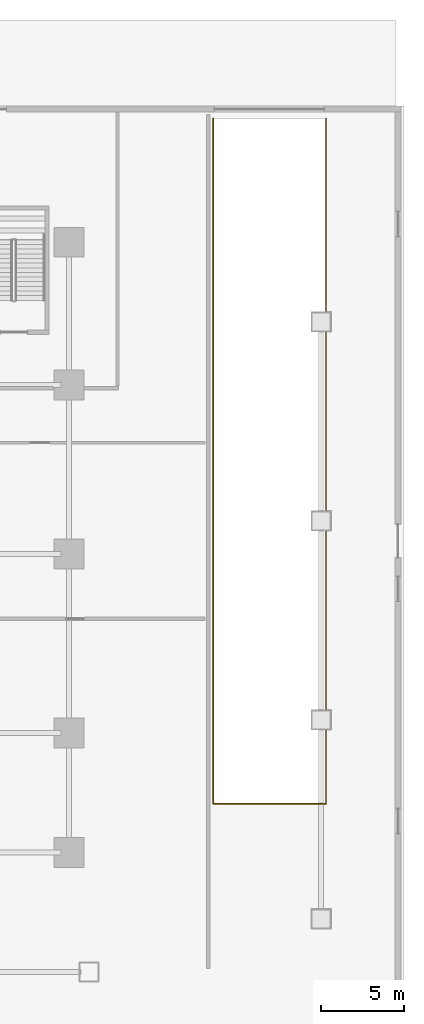
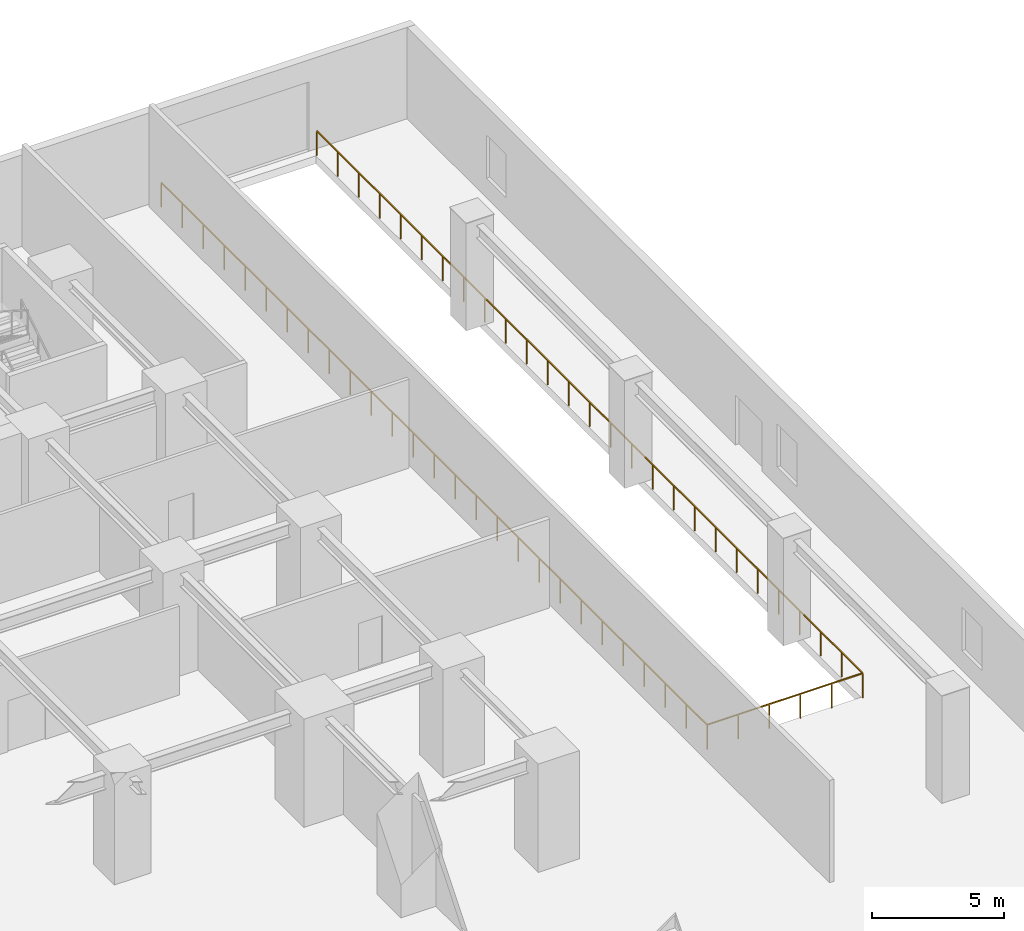
# One storey, part 16 of 18: 1 railing.
"""IFC4 building model written with IfcOpenShell, lengths in metres."""

from ifc_helpers import new_model, si_unit, direction, frame, origin, origin_2d, place, context, subcontext, project, spatial, rectangle, extrude, material, type_object, element, save


model = new_model("IFC4")

# Units and contexts
model_context = context("Model", 3, precision=1e-05, world=origin(), true_north=direction((0.0, 1.0)))
body_context = subcontext(model_context, "Body", "Model", "MODEL_VIEW")
ifc_project = project(units=[si_unit("LENGTHUNIT", "METRE"), si_unit("AREAUNIT", "SQUARE_METRE"), si_unit("VOLUMEUNIT", "CUBIC_METRE"), si_unit("PLANEANGLEUNIT", "RADIAN"), si_unit("MASSUNIT", "GRAM", prefix="KILO")], contexts=[model_context])

# Site, building, storey
site_placement = place(None, origin())
site = spatial("IfcSite", under=ifc_project, at=site_placement, CompositionType="ELEMENT")
building_placement = place(site_placement, origin())
building = spatial("IfcBuilding", under=site, at=building_placement, Name="Sumidabori Civic Tower", CompositionType="ELEMENT")
storey_placement = place(building_placement, origin())
storey = spatial("IfcBuildingStorey", under=building, at=storey_placement, Name="L00", CompositionType="ELEMENT", Elevation=0.0)

# Railing
ifc_material = material(Name="Steel SN490", Category="steel")
railing_type = type_object("IfcRailingType", Name="RL-STAIR-GUARD", PredefinedType="GUARDRAIL", material=ifc_material)
railing_placement = place(storey_placement, frame((31.5, 26.25, 0.0)))
element("IfcRailing", 1, at=railing_placement, inside=storey, type_object=railing_type, Name="Ramp R1 Opening Guard L00", PredefinedType="GUARDRAIL", context=body_context, shape_type="SweptSolid", body=[
    extrude(rectangle(XDim=0.048095703125, YDim=0.048095703125, at=origin_2d()), frame((0.0, 0.0, 1.1259765625), z_axis=(0.0, -1.0, 0.0), x_axis=(1.0, 0.0, 0.0)), (0.0, 0.0, 1.0), 41.300048828125),
    extrude(rectangle(XDim=0.048095703125, YDim=0.048095703125, at=origin_2d()), frame((0.0, -41.300048828125, 1.1259765625), z_axis=(1.0, 0.0, 0.0), x_axis=(0.0, 1.0, 0.0)), (0.0, 0.0, 1.0), 6.800048828125),
    extrude(rectangle(XDim=0.048095703125, YDim=0.048095703125, at=origin_2d()), frame((6.800048828125, -41.300048828125, 1.1259765625), z_axis=(0.0, 1.0, 0.0), x_axis=(-1.0, 0.0, 0.0)), (0.0, 0.0, 1.0), 41.300048828125),
    extrude(rectangle(XDim=0.0419921875, YDim=0.0419921875, at=origin_2d()), origin(), (0.0, 0.0, 1.0), 1.101806640625),
    extrude(rectangle(XDim=0.0419921875, YDim=0.0419921875, at=origin_2d()), frame((0.0, -1.58837890625, 0.0)), (0.0, 0.0, 1.0), 1.101806640625),
    extrude(rectangle(XDim=0.0419921875, YDim=0.0419921875, at=origin_2d()), frame((0.0, -3.177001953125, 0.0)), (0.0, 0.0, 1.0), 1.101806640625),
    extrude(rectangle(XDim=0.0419921875, YDim=0.0419921875, at=origin_2d()), frame((0.0, -4.765380859375, 0.0)), (0.0, 0.0, 1.0), 1.101806640625),
    extrude(rectangle(XDim=0.0419921875, YDim=0.0419921875, at=origin_2d()), frame((0.0, -6.353759765625, 0.0)), (0.0, 0.0, 1.0), 1.101806640625),
    extrude(rectangle(XDim=0.0419921875, YDim=0.0419921875, at=origin_2d()), frame((0.0, -7.9423828125, 0.0)), (0.0, 0.0, 1.0), 1.101806640625),
    extrude(rectangle(XDim=0.0419921875, YDim=0.0419921875, at=origin_2d()), frame((0.0, -9.53076171875, 0.0)), (0.0, 0.0, 1.0), 1.101806640625),
    extrude(rectangle(XDim=0.0419921875, YDim=0.0419921875, at=origin_2d()), frame((0.0, -11.119140625, 0.0)), (0.0, 0.0, 1.0), 1.101806640625),
    extrude(rectangle(XDim=0.0419921875, YDim=0.0419921875, at=origin_2d()), frame((0.0, -12.707763671875, 0.0)), (0.0, 0.0, 1.0), 1.101806640625),
    extrude(rectangle(XDim=0.0419921875, YDim=0.0419921875, at=origin_2d()), frame((0.0, -14.296142578125, 0.0)), (0.0, 0.0, 1.0), 1.101806640625),
    extrude(rectangle(XDim=0.0419921875, YDim=0.0419921875, at=origin_2d()), frame((0.0, -15.884521484375, 0.0)), (0.0, 0.0, 1.0), 1.101806640625),
    extrude(rectangle(XDim=0.0419921875, YDim=0.0419921875, at=origin_2d()), frame((0.0, -17.47314453125, 0.0)), (0.0, 0.0, 1.0), 1.101806640625),
    extrude(rectangle(XDim=0.0419921875, YDim=0.0419921875, at=origin_2d()), frame((0.0, -19.0615234375, 0.0)), (0.0, 0.0, 1.0), 1.101806640625),
    extrude(rectangle(XDim=0.0419921875, YDim=0.0419921875, at=origin_2d()), frame((0.0, -20.64990234375, 0.0)), (0.0, 0.0, 1.0), 1.101806640625),
    extrude(rectangle(XDim=0.0419921875, YDim=0.0419921875, at=origin_2d()), frame((0.0, -22.238525390625, 0.0)), (0.0, 0.0, 1.0), 1.101806640625),
    extrude(rectangle(XDim=0.0419921875, YDim=0.0419921875, at=origin_2d()), frame((0.0, -23.826904296875, 0.0)), (0.0, 0.0, 1.0), 1.101806640625),
    extrude(rectangle(XDim=0.0419921875, YDim=0.0419921875, at=origin_2d()), frame((0.0, -25.41552734375, 0.0)), (0.0, 0.0, 1.0), 1.101806640625),
    extrude(rectangle(XDim=0.0419921875, YDim=0.0419921875, at=origin_2d()), frame((0.0, -27.00390625, 0.0)), (0.0, 0.0, 1.0), 1.101806640625),
    extrude(rectangle(XDim=0.0419921875, YDim=0.0419921875, at=origin_2d()), frame((0.0, -28.59228515625, 0.0)), (0.0, 0.0, 1.0), 1.101806640625),
    extrude(rectangle(XDim=0.0419921875, YDim=0.0419921875, at=origin_2d()), frame((0.0, -30.180908203125, 0.0)), (0.0, 0.0, 1.0), 1.101806640625),
    extrude(rectangle(XDim=0.0419921875, YDim=0.0419921875, at=origin_2d()), frame((0.0, -31.769287109375, 0.0)), (0.0, 0.0, 1.0), 1.101806640625),
    extrude(rectangle(XDim=0.0419921875, YDim=0.0419921875, at=origin_2d()), frame((0.0, -33.357666015625, 0.0)), (0.0, 0.0, 1.0), 1.101806640625),
    extrude(rectangle(XDim=0.0419921875, YDim=0.0419921875, at=origin_2d()), frame((0.0, -34.9462890625, 0.0)), (0.0, 0.0, 1.0), 1.101806640625),
    extrude(rectangle(XDim=0.0419921875, YDim=0.0419921875, at=origin_2d()), frame((0.0, -36.53466796875, 0.0)), (0.0, 0.0, 1.0), 1.101806640625),
    extrude(rectangle(XDim=0.0419921875, YDim=0.0419921875, at=origin_2d()), frame((0.0, -38.123046875, 0.0)), (0.0, 0.0, 1.0), 1.101806640625),
    extrude(rectangle(XDim=0.0419921875, YDim=0.0419921875, at=origin_2d()), frame((0.0, -39.711669921875, 0.0)), (0.0, 0.0, 1.0), 1.101806640625),
    extrude(rectangle(XDim=0.0419921875, YDim=0.0419921875, at=origin_2d()), frame((0.0, -41.300048828125, 0.0)), (0.0, 0.0, 1.0), 1.101806640625),
    extrude(rectangle(XDim=0.0419921875, YDim=0.0419921875, at=origin_2d()), frame((1.360107421875, -41.300048828125, 0.0)), (0.0, 0.0, 1.0), 1.101806640625),
    extrude(rectangle(XDim=0.0419921875, YDim=0.0419921875, at=origin_2d()), frame((2.719970703125, -41.300048828125, 0.0)), (0.0, 0.0, 1.0), 1.101806640625),
    extrude(rectangle(XDim=0.0419921875, YDim=0.0419921875, at=origin_2d()), frame((4.080078125, -41.300048828125, 0.0)), (0.0, 0.0, 1.0), 1.101806640625),
    extrude(rectangle(XDim=0.0419921875, YDim=0.0419921875, at=origin_2d()), frame((5.43994140625, -41.300048828125, 0.0)), (0.0, 0.0, 1.0), 1.101806640625),
    extrude(rectangle(XDim=0.0419921875, YDim=0.0419921875, at=origin_2d()), frame((6.800048828125, -41.300048828125, 0.0)), (0.0, 0.0, 1.0), 1.101806640625),
    extrude(rectangle(XDim=0.0419921875, YDim=0.0419921875, at=origin_2d()), frame((6.800048828125, -39.711669921875, 0.0)), (0.0, 0.0, 1.0), 1.101806640625),
    extrude(rectangle(XDim=0.0419921875, YDim=0.0419921875, at=origin_2d()), frame((6.800048828125, -38.123046875, 0.0)), (0.0, 0.0, 1.0), 1.101806640625),
    extrude(rectangle(XDim=0.0419921875, YDim=0.0419921875, at=origin_2d()), frame((6.800048828125, -36.53466796875, 0.0)), (0.0, 0.0, 1.0), 1.101806640625),
    extrude(rectangle(XDim=0.0419921875, YDim=0.0419921875, at=origin_2d()), frame((6.800048828125, -34.9462890625, 0.0)), (0.0, 0.0, 1.0), 1.101806640625),
    extrude(rectangle(XDim=0.0419921875, YDim=0.0419921875, at=origin_2d()), frame((6.800048828125, -33.357666015625, 0.0)), (0.0, 0.0, 1.0), 1.101806640625),
    extrude(rectangle(XDim=0.0419921875, YDim=0.0419921875, at=origin_2d()), frame((6.800048828125, -31.769287109375, 0.0)), (0.0, 0.0, 1.0), 1.101806640625),
    extrude(rectangle(XDim=0.0419921875, YDim=0.0419921875, at=origin_2d()), frame((6.800048828125, -30.180908203125, 0.0)), (0.0, 0.0, 1.0), 1.101806640625),
    extrude(rectangle(XDim=0.0419921875, YDim=0.0419921875, at=origin_2d()), frame((6.800048828125, -28.59228515625, 0.0)), (0.0, 0.0, 1.0), 1.101806640625),
    extrude(rectangle(XDim=0.0419921875, YDim=0.0419921875, at=origin_2d()), frame((6.800048828125, -27.00390625, 0.0)), (0.0, 0.0, 1.0), 1.101806640625),
    extrude(rectangle(XDim=0.0419921875, YDim=0.0419921875, at=origin_2d()), frame((6.800048828125, -25.41552734375, 0.0)), (0.0, 0.0, 1.0), 1.101806640625),
    extrude(rectangle(XDim=0.0419921875, YDim=0.0419921875, at=origin_2d()), frame((6.800048828125, -23.826904296875, 0.0)), (0.0, 0.0, 1.0), 1.101806640625),
    extrude(rectangle(XDim=0.0419921875, YDim=0.0419921875, at=origin_2d()), frame((6.800048828125, -22.238525390625, 0.0)), (0.0, 0.0, 1.0), 1.101806640625),
    extrude(rectangle(XDim=0.0419921875, YDim=0.0419921875, at=origin_2d()), frame((6.800048828125, -20.64990234375, 0.0)), (0.0, 0.0, 1.0), 1.101806640625),
    extrude(rectangle(XDim=0.0419921875, YDim=0.0419921875, at=origin_2d()), frame((6.800048828125, -19.0615234375, 0.0)), (0.0, 0.0, 1.0), 1.101806640625),
    extrude(rectangle(XDim=0.0419921875, YDim=0.0419921875, at=origin_2d()), frame((6.800048828125, -17.47314453125, 0.0)), (0.0, 0.0, 1.0), 1.101806640625),
    extrude(rectangle(XDim=0.0419921875, YDim=0.0419921875, at=origin_2d()), frame((6.800048828125, -15.884521484375, 0.0)), (0.0, 0.0, 1.0), 1.101806640625),
    extrude(rectangle(XDim=0.0419921875, YDim=0.0419921875, at=origin_2d()), frame((6.800048828125, -14.296142578125, 0.0)), (0.0, 0.0, 1.0), 1.101806640625),
    extrude(rectangle(XDim=0.0419921875, YDim=0.0419921875, at=origin_2d()), frame((6.800048828125, -12.707763671875, 0.0)), (0.0, 0.0, 1.0), 1.101806640625),
    extrude(rectangle(XDim=0.0419921875, YDim=0.0419921875, at=origin_2d()), frame((6.800048828125, -11.119140625, 0.0)), (0.0, 0.0, 1.0), 1.101806640625),
    extrude(rectangle(XDim=0.0419921875, YDim=0.0419921875, at=origin_2d()), frame((6.800048828125, -9.53076171875, 0.0)), (0.0, 0.0, 1.0), 1.101806640625),
    extrude(rectangle(XDim=0.0419921875, YDim=0.0419921875, at=origin_2d()), frame((6.800048828125, -7.9423828125, 0.0)), (0.0, 0.0, 1.0), 1.101806640625),
    extrude(rectangle(XDim=0.0419921875, YDim=0.0419921875, at=origin_2d()), frame((6.800048828125, -6.353759765625, 0.0)), (0.0, 0.0, 1.0), 1.101806640625),
    extrude(rectangle(XDim=0.0419921875, YDim=0.0419921875, at=origin_2d()), frame((6.800048828125, -4.765380859375, 0.0)), (0.0, 0.0, 1.0), 1.101806640625),
    extrude(rectangle(XDim=0.0419921875, YDim=0.0419921875, at=origin_2d()), frame((6.800048828125, -3.177001953125, 0.0)), (0.0, 0.0, 1.0), 1.101806640625),
    extrude(rectangle(XDim=0.0419921875, YDim=0.0419921875, at=origin_2d()), frame((6.800048828125, -1.58837890625, 0.0)), (0.0, 0.0, 1.0), 1.101806640625),
    extrude(rectangle(XDim=0.0419921875, YDim=0.0419921875, at=origin_2d()), frame((6.800048828125, 0.0, 0.0)), (0.0, 0.0, 1.0), 1.101806640625),
])

save(model, "model.ifc")
